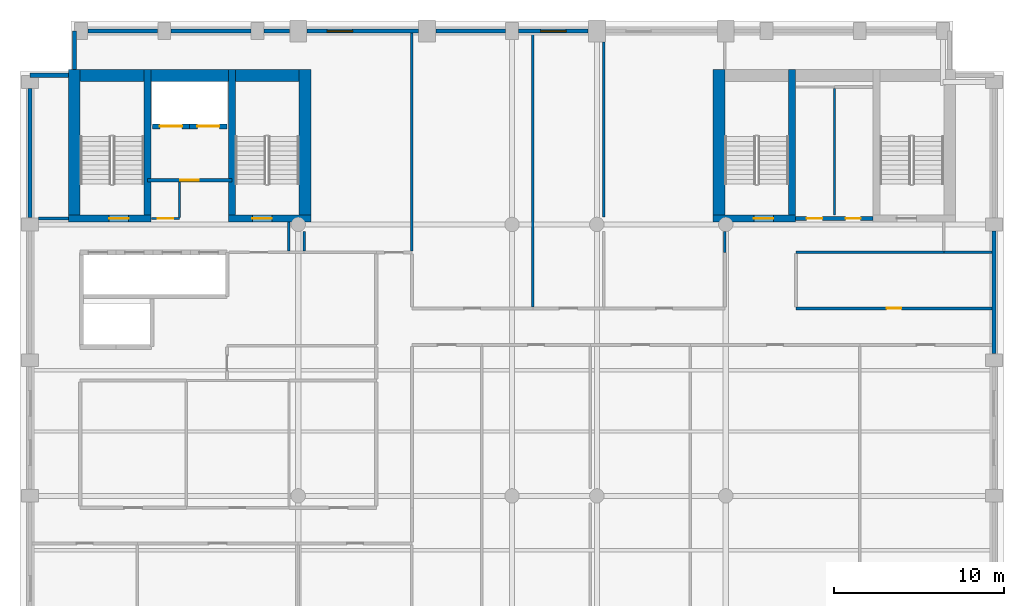
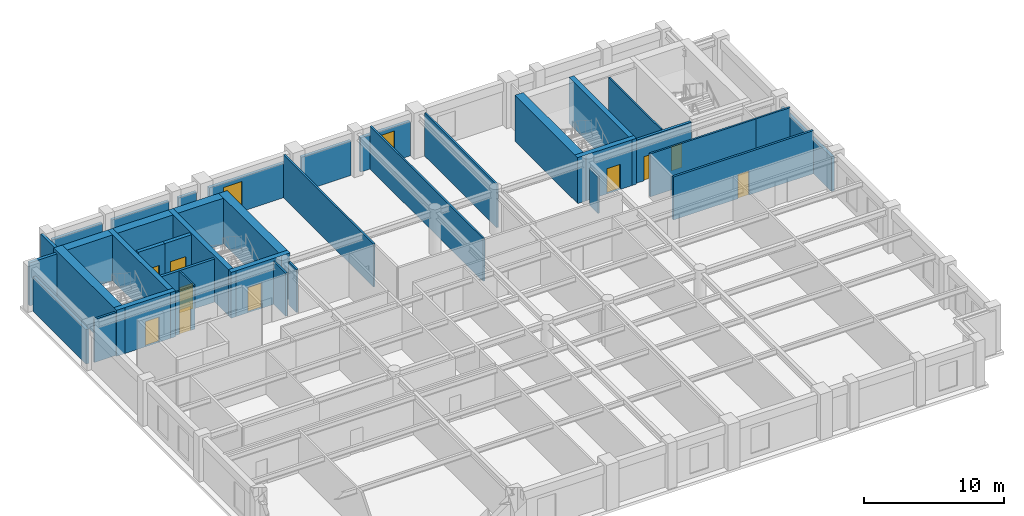
# One storey, part 5 of 8: 37 walls, 10 doors, 2 windows, 12 openings.
"""IFC4 building model written with IfcOpenShell, lengths in metres."""

from ifc_helpers import new_model, si_unit, direction, frame, frame_2d, origin, place, context, subcontext, project, spatial, rectangle, extrude, material, layer, layer_set, type_object, element, fill, save


model = new_model("IFC4")

# Units and contexts
model_context = context("Model", 3, precision=1e-05, world=origin(), true_north=direction((0.0, 1.0)))
body_context = subcontext(model_context, "Body", "Model", "MODEL_VIEW")
ifc_project = project(units=[si_unit("LENGTHUNIT", "METRE"), si_unit("AREAUNIT", "SQUARE_METRE"), si_unit("VOLUMEUNIT", "CUBIC_METRE"), si_unit("PLANEANGLEUNIT", "RADIAN"), si_unit("MASSUNIT", "GRAM", prefix="KILO")], contexts=[model_context])

# Site, building, storey
site_placement = place(None, origin())
site = spatial("IfcSite", under=ifc_project, at=site_placement, CompositionType="ELEMENT")
building_placement = place(site_placement, origin())
building = spatial("IfcBuilding", under=site, at=building_placement, Name="Sulina Concourse Tower", CompositionType="ELEMENT")
storey_placement = place(building_placement, frame((0.0, 0.0, 260.60009765625)))
storey = spatial("IfcBuildingStorey", under=building, at=storey_placement, Name="L63", CompositionType="ELEMENT", Elevation=260.60009765625)

# Wall, opening, door
ifc_material_1 = material(Name="Concrete C50/60", Category="concrete")
ifc_layer_1 = layer(ifc_material_1, 0.300048828125)
ifc_layer_set_1 = layer_set([ifc_layer_1], Name="Concrete C50/60")
wall_type_1 = type_object("IfcWallType", Name="Core Lift Hoistway Wall 300mm", PredefinedType="SOLIDWALL", material=ifc_layer_set_1)
wall_1_placement = place(storey_placement, frame((10.0, 39.780029296875, 0.0), z_axis=(0.0, 0.0, 1.0), x_axis=(-1.0, 0.0, 0.0)))
wall_1 = element("IfcWall", 1, at=wall_1_placement, inside=storey, type_object=wall_type_1, Name="L63 hoistway enclosure wall FFL-1", PredefinedType="SOLIDWALL", context=body_context, shape_type="SweptSolid", body=[
    extrude(rectangle(XDim=2.199951171875, YDim=0.300048828125, at=frame_2d((1.10009765625, 0.0))), origin(), (0.0, 0.0, 1.0), 4.0),
])
opening_1_placement = place(wall_1_placement, frame((0.449951171875, 0.0, 0.0)))
opening_1 = element("IfcOpeningElement", 2, at=opening_1_placement, cuts=wall_1, Name="Opening LD-02", PredefinedType="OPENING", context=body_context, shape_type="SweptSolid", body=[
    extrude(rectangle(XDim=1.300048828125, YDim=2.25, at=frame_2d((0.64990234375, 1.125))), frame((0.0, 0.159912109375, 0.0), z_axis=(0.0, -1.0, 0.0), x_axis=(1.0, 0.0, 0.0)), (0.0, 0.0, 1.0), 0.320068359375),
])
ifc_material_2 = material(Name="Stainless steel lift landing door", Category="steel")
ifc_layer_2 = layer(ifc_material_2, 0.050048828125)
ifc_layer_set_2 = layer_set([ifc_layer_2], Name="Stainless steel lift landing door")
door_type_1 = type_object("IfcDoorType", Name="Firefighting Lift Sliding Landing Door 1300x2250", OperationType="SLIDING_TO_RIGHT", PredefinedType="DOOR", material=ifc_layer_set_2)
door_1_placement = place(opening_1_placement, origin())
door_1 = element("IfcDoor", 3, at=door_1_placement, inside=storey, type_object=door_type_1, Name="L63 lift landing sliding door FFL-1", OperationType="SLIDING_TO_LEFT", OverallHeight=2.25, OverallWidth=1.300048828125, PredefinedType="DOOR", context=body_context, shape_type="SweptSolid", body=[
    extrude(rectangle(XDim=1.300048828125, YDim=2.25, at=frame_2d((0.64990234375, 1.125))), frame((0.0, 0.02490234375, 0.0), z_axis=(0.0, -1.0, 0.0), x_axis=(1.0, 0.0, 0.0)), (0.0, 0.0, 1.0), 0.050048828125),
])
fill(opening_1, door_1)

wall_2_placement = place(storey_placement, frame((12.199951171875, 39.780029296875, 0.0), z_axis=(0.0, 0.0, 1.0), x_axis=(-1.0, 0.0, 0.0)))
wall_2 = element("IfcWall", 4, at=wall_2_placement, inside=storey, type_object=wall_type_1, Name="L63 hoistway enclosure wall FFL-2", PredefinedType="SOLIDWALL", context=body_context, shape_type="SweptSolid", body=[
    extrude(rectangle(XDim=2.199951171875, YDim=0.300048828125, at=frame_2d((1.10009765625, 0.0))), origin(), (0.0, 0.0, 1.0), 4.0),
])
opening_2_placement = place(wall_2_placement, frame((0.449951171875, 0.0, 0.0)))
opening_2 = element("IfcOpeningElement", 5, at=opening_2_placement, cuts=wall_2, Name="Opening LD-02", PredefinedType="OPENING", context=body_context, shape_type="SweptSolid", body=[
    extrude(rectangle(XDim=1.300048828125, YDim=2.25, at=frame_2d((0.64990234375, 1.125))), frame((0.0, 0.159912109375, 0.0), z_axis=(0.0, -1.0, 0.0), x_axis=(1.0, 0.0, 0.0)), (0.0, 0.0, 1.0), 0.320068359375),
])
door_2_placement = place(opening_2_placement, origin())
door_2 = element("IfcDoor", 6, at=door_2_placement, inside=storey, type_object=door_type_1, Name="L63 lift landing sliding door FFL-2", OperationType="SLIDING_TO_RIGHT", OverallHeight=2.25, OverallWidth=1.300048828125, PredefinedType="DOOR", context=body_context, shape_type="SweptSolid", body=[
    extrude(rectangle(XDim=1.300048828125, YDim=2.25, at=frame_2d((0.64990234375, 1.125))), frame((0.0, 0.02490234375, 0.0), z_axis=(0.0, -1.0, 0.0), x_axis=(1.0, 0.0, 0.0)), (0.0, 0.0, 1.0), 0.050048828125),
])
fill(opening_2, door_2)

# Walls
ifc_material_3 = material(Name="Precast concrete C50/60", Category="concrete")
ifc_layer_3 = layer(ifc_material_3, 0.239990234375)
ifc_layer_set_3 = layer_set([ifc_layer_3], Name="Precast concrete C50/60")
wall_type_2 = type_object("IfcWallType", Name="Crown Precast Masonry-Frame Facade Wall 240mm", PredefinedType="SOLIDWALL", material=ifc_layer_set_3)
wall_3_placement = place(storey_placement, frame((0.60009765625, 34.39501953125, 0.0), z_axis=(0.0, 0.0, 1.0), x_axis=(0.0, 1.0, 0.0)))
element("IfcWall", 7, at=wall_3_placement, inside=storey, type_object=wall_type_2, Name="L63 exterior precast wall W5", PredefinedType="SOLIDWALL", context=body_context, shape_type="SweptSolid", body=[
    extrude(rectangle(XDim=7.60986328125, YDim=0.239990234375, at=frame_2d((3.804931640625, 0.0))), origin(), (0.0, 0.0, 1.0), 3.0),
])
wall_4_placement = place(storey_placement, frame((3.9951171875, 45.39990234375, 0.0), z_axis=(0.0, 0.0, 1.0), x_axis=(1.0, 0.0, 0.0)))
element("IfcWall", 8, at=wall_4_placement, inside=storey, type_object=wall_type_2, Name="L63 exterior precast wall N1", PredefinedType="SOLIDWALL", context=body_context, shape_type="SweptSolid", body=[
    extrude(rectangle(XDim=4.10986328125, YDim=0.239990234375, at=frame_2d((2.054931640625, 0.0))), origin(), (0.0, 0.0, 1.0), 3.0),
])
wall_5_placement = place(storey_placement, frame((8.89501953125, 45.39990234375, 0.0), z_axis=(0.0, 0.0, 1.0), x_axis=(1.0, 0.0, 0.0)))
element("IfcWall", 9, at=wall_5_placement, inside=storey, type_object=wall_type_2, Name="L63 exterior precast wall N2", PredefinedType="SOLIDWALL", context=body_context, shape_type="SweptSolid", body=[
    extrude(rectangle(XDim=4.7099609375, YDim=0.239990234375, at=frame_2d((2.35498046875, 0.0))), origin(), (0.0, 0.0, 1.0), 3.0),
])
wall_6_placement = place(storey_placement, frame((14.39501953125, 45.39990234375, 0.0), z_axis=(0.0, 0.0, 1.0), x_axis=(1.0, 0.0, 0.0)))
element("IfcWall", 10, at=wall_6_placement, inside=storey, type_object=wall_type_2, Name="L63 exterior precast wall N3", PredefinedType="SOLIDWALL", context=body_context, shape_type="SweptSolid", body=[
    extrude(rectangle(XDim=1.48486328125, YDim=0.239990234375, at=frame_2d((0.742431640625, 0.0))), origin(), (0.0, 0.0, 1.0), 3.0),
])

# Wall, opening, window
wall_7_placement = place(storey_placement, frame((16.919921875, 45.39990234375, 0.0), z_axis=(0.0, 0.0, 1.0), x_axis=(1.0, 0.0, 0.0)))
wall_7 = element("IfcWall", 11, at=wall_7_placement, inside=storey, type_object=wall_type_2, Name="L63 exterior precast wall N4", PredefinedType="SOLIDWALL", context=body_context, shape_type="SweptSolid", body=[
    extrude(rectangle(XDim=6.56005859375, YDim=0.239990234375, at=frame_2d((3.280029296875, 0.0))), origin(), (0.0, 0.0, 1.0), 3.0),
])
opening_3_placement = place(wall_7_placement, frame((1.186767578125, 0.0, 0.419921875)))
opening_3 = element("IfcOpeningElement", 12, at=opening_3_placement, cuts=wall_7, Name="Opening WN-71", PredefinedType="OPENING", context=body_context, shape_type="SweptSolid", body=[
    extrude(rectangle(XDim=1.5, YDim=2.199951171875, at=frame_2d((0.75, 1.10009765625))), frame((0.0, 0.1298828125, 0.0), z_axis=(0.0, -1.0, 0.0), x_axis=(1.0, 0.0, 0.0)), (0.0, 0.0, 1.0), 0.260009765625),
])
ifc_material_4 = material(Name="Low-E solar double glazing in bronze aluminium", Category="aluminium")
window_type = type_object("IfcWindowType", Name="Punched Masonry-Frame Window 1500x2200", PartitioningType="SINGLE_PANEL", PredefinedType="WINDOW", material=ifc_material_4)
window_1_placement = place(opening_3_placement, origin())
window_1 = element("IfcWindow", 13, at=window_1_placement, inside=storey, type_object=window_type, Name="L63 punched window N4-1", OverallHeight=2.199951171875, OverallWidth=1.5, PartitioningType="SINGLE_PANEL", PredefinedType="WINDOW", context=body_context, shape_type="SweptSolid", body=[
    extrude(rectangle(XDim=1.5, YDim=2.199951171875, at=frame_2d((0.75, 1.10009765625))), frame((0.0, 0.030029296875, 0.0), z_axis=(0.0, -1.0, 0.0), x_axis=(1.0, 0.0, 0.0)), (0.0, 0.0, 1.0), 0.06005859375),
])
fill(opening_3, window_1)

# Wall
wall_8_placement = place(storey_placement, frame((24.52001953125, 45.39990234375, 0.0), z_axis=(0.0, 0.0, 1.0), x_axis=(1.0, 0.0, 0.0)))
element("IfcWall", 14, at=wall_8_placement, inside=storey, type_object=wall_type_2, Name="L63 exterior precast wall N5", PredefinedType="SOLIDWALL", context=body_context, shape_type="SweptSolid", body=[
    extrude(rectangle(XDim=4.0849609375, YDim=0.239990234375, at=frame_2d((2.04248046875, 0.0))), origin(), (0.0, 0.0, 1.0), 3.0),
])

# Wall, opening, window
wall_9_placement = place(storey_placement, frame((29.39501953125, 45.39990234375, 0.0), z_axis=(0.0, 0.0, 1.0), x_axis=(1.0, 0.0, 0.0)))
wall_9 = element("IfcWall", 15, at=wall_9_placement, inside=storey, type_object=wall_type_2, Name="L63 exterior precast wall N6", PredefinedType="SOLIDWALL", context=body_context, shape_type="SweptSolid", body=[
    extrude(rectangle(XDim=4.0849609375, YDim=0.239990234375, at=frame_2d((2.04248046875, 0.0))), origin(), (0.0, 0.0, 1.0), 3.0),
])
opening_4_placement = place(wall_9_placement, frame((1.29248046875, 0.0, 0.419921875)))
opening_4 = element("IfcOpeningElement", 16, at=opening_4_placement, cuts=wall_9, Name="Opening WN-71", PredefinedType="OPENING", context=body_context, shape_type="SweptSolid", body=[
    extrude(rectangle(XDim=1.5, YDim=2.199951171875, at=frame_2d((0.75, 1.10009765625))), frame((0.0, 0.1298828125, 0.0), z_axis=(0.0, -1.0, 0.0), x_axis=(1.0, 0.0, 0.0)), (0.0, 0.0, 1.0), 0.260009765625),
])
window_2_placement = place(opening_4_placement, origin())
window_2 = element("IfcWindow", 17, at=window_2_placement, inside=storey, type_object=window_type, Name="L63 punched window N6-1", OverallHeight=2.199951171875, OverallWidth=1.5, PartitioningType="SINGLE_PANEL", PredefinedType="WINDOW", context=body_context, shape_type="SweptSolid", body=[
    extrude(rectangle(XDim=1.5, YDim=2.199951171875, at=frame_2d((0.75, 1.10009765625))), frame((0.0, 0.030029296875, 0.0), z_axis=(0.0, -1.0, 0.0), x_axis=(1.0, 0.0, 0.0)), (0.0, 0.0, 1.0), 0.06005859375),
])
fill(opening_4, window_2)

# Walls
wall_10_placement = place(storey_placement, frame((57.39990234375, 33.60498046875, 0.0), z_axis=(0.0, 0.0, 1.0), x_axis=(0.0, -1.0, 0.0)))
element("IfcWall", 18, at=wall_10_placement, inside=storey, type_object=wall_type_2, Name="L63 exterior precast wall E4", PredefinedType="SOLIDWALL", context=body_context, shape_type="SweptSolid", body=[
    extrude(rectangle(XDim=7.2099609375, YDim=0.239990234375, at=frame_2d((3.60498046875, 0.0))), origin(), (0.0, 0.0, 1.0), 3.0),
])
wall_11_placement = place(storey_placement, frame((0.60009765625, 42.794921875, 0.0), z_axis=(0.0, 0.0, 1.0), x_axis=(1.0, 0.0, 0.0)))
element("IfcWall", 19, at=wall_11_placement, inside=storey, type_object=wall_type_2, Name="L63 exterior precast wall CNW1", PredefinedType="SOLIDWALL", context=body_context, shape_type="SweptSolid", body=[
    extrude(rectangle(XDim=2.244873046875, YDim=0.239990234375, at=frame_2d((1.12255859375, 0.0))), origin(), (0.0, 0.0, 1.0), 3.75),
])
wall_12_placement = place(storey_placement, frame((3.205078125, 43.135009765625, 0.0), z_axis=(0.0, 0.0, 1.0), x_axis=(0.0, 1.0, 0.0)))
element("IfcWall", 20, at=wall_12_placement, inside=storey, type_object=wall_type_2, Name="L63 exterior precast wall CNW2", PredefinedType="SOLIDWALL", context=body_context, shape_type="SweptSolid", body=[
    extrude(rectangle(XDim=2.264892578125, YDim=0.239990234375, at=frame_2d((1.13232421875, 0.0))), origin(), (0.0, 0.0, 1.0), 3.75),
])

# Wall, opening, door
ifc_material_5 = material(Name="Gypsum board on steel stud", Category="steel")
ifc_layer_4 = layer(ifc_material_5, 0.219970703125)
ifc_layer_set_4 = layer_set([ifc_layer_4], Name="Gypsum board on steel stud")
wall_type_3 = type_object("IfcWallType", Name="Fire-Rated Lobby & Compartment Wall 220mm", PredefinedType="PARTITIONING", material=ifc_layer_set_4)
wall_13_placement = place(storey_placement, frame((7.510009765625, 36.60009765625, 0.0), z_axis=(0.0, 0.0, 1.0), x_axis=(1.0, 0.0, 0.0)))
wall_13 = element("IfcWall", 21, at=wall_13_placement, inside=storey, type_object=wall_type_3, Name="L63 firefighting lobby south fire wall", PredefinedType="PARTITIONING", context=body_context, shape_type="SweptSolid", body=[
    extrude(rectangle(XDim=4.97998046875, YDim=0.219970703125, at=frame_2d((2.489990234375, 0.0))), origin(), (0.0, 0.0, 1.0), 3.75),
])
opening_5_placement = place(wall_13_placement, frame((1.93994140625, 0.0, 0.0)))
opening_5 = element("IfcOpeningElement", 22, at=opening_5_placement, cuts=wall_13, Name="Opening DR-47", PredefinedType="OPENING", context=body_context, shape_type="SweptSolid", body=[
    extrude(rectangle(XDim=1.10009765625, YDim=2.199951171875, at=frame_2d((0.550048828125, 1.10009765625))), frame((0.0, 0.119873046875, 0.0), z_axis=(0.0, -1.0, 0.0), x_axis=(1.0, 0.0, 0.0)), (0.0, 0.0, 1.0), 0.239990234375),
])
ifc_material_6 = material(Name="Galvanised steel acoustic fire leaf", Category="steel")
ifc_layer_5 = layer(ifc_material_6, 0.054931640625)
ifc_layer_set_5 = layer_set([ifc_layer_5], Name="Galvanised steel acoustic fire leaf")
door_type_2 = type_object("IfcDoorType", Name="Firefighting Lobby Fire Door 1100x2200", OperationType="NOTDEFINED", PredefinedType="DOOR", material=ifc_layer_set_5)
door_3_placement = place(opening_5_placement, origin())
door_3 = element("IfcDoor", 23, at=door_3_placement, inside=storey, type_object=door_type_2, Name="L63 firefighting lobby fire door", OperationType="SINGLE_SWING_RIGHT", OverallHeight=2.199951171875, OverallWidth=1.10009765625, PredefinedType="DOOR", context=body_context, shape_type="SweptSolid", body=[
    extrude(rectangle(XDim=1.10009765625, YDim=2.199951171875, at=frame_2d((0.550048828125, 1.10009765625))), frame((0.0, 0.02490234375, 0.0), z_axis=(0.0, -1.0, 0.0), x_axis=(1.0, 0.0, 0.0)), (0.0, 0.0, 1.0), 0.050048828125),
])
fill(opening_5, door_3)

# Wall, openings, doors
wall_14_placement = place(storey_placement, frame((45.719970703125, 34.35009765625, 0.0), z_axis=(0.0, 0.0, 1.0), x_axis=(1.0, 0.0, 0.0)))
wall_14 = element("IfcWall", 24, at=wall_14_placement, inside=storey, type_object=wall_type_3, Name="L63 east core south lobby wall", PredefinedType="PARTITIONING", context=body_context, shape_type="SweptSolid", body=[
    extrude(rectangle(XDim=4.56005859375, YDim=0.219970703125, at=frame_2d((2.280029296875, 0.0))), origin(), (0.0, 0.0, 1.0), 3.75),
])
opening_6_placement = place(wall_14_placement, frame((0.64990234375, 0.0, 0.0)))
opening_6 = element("IfcOpeningElement", 25, at=opening_6_placement, cuts=wall_14, Name="Opening DR-61", PredefinedType="OPENING", context=body_context, shape_type="SweptSolid", body=[
    extrude(rectangle(XDim=0.919921875, YDim=2.10009765625, at=frame_2d((0.4599609375, 1.050048828125))), frame((0.0, 0.119873046875, 0.0), z_axis=(0.0, -1.0, 0.0), x_axis=(1.0, 0.0, 0.0)), (0.0, 0.0, 1.0), 0.239990234375),
])
opening_7_placement = place(wall_14_placement, frame((2.949951171875, 0.0, 0.0)))
opening_7 = element("IfcOpeningElement", 26, at=opening_7_placement, cuts=wall_14, Name="Opening DR-38", PredefinedType="OPENING", context=body_context, shape_type="SweptSolid", body=[
    extrude(rectangle(XDim=0.8798828125, YDim=2.10009765625, at=frame_2d((0.43994140625, 1.050048828125))), frame((0.0, 0.119873046875, 0.0), z_axis=(0.0, -1.0, 0.0), x_axis=(1.0, 0.0, 0.0)), (0.0, 0.0, 1.0), 0.239990234375),
])
ifc_material_7 = material(Name="Oak-veneered fire door leaf")
ifc_layer_6 = layer(ifc_material_7, 0.050048828125)
ifc_layer_set_6 = layer_set([ifc_layer_6], Name="Oak-veneered fire door leaf")
door_type_3 = type_object("IfcDoorType", Name="Accessible WC Door 920x2100", OperationType="NOTDEFINED", PredefinedType="DOOR", material=ifc_layer_set_6)
door_4_placement = place(opening_6_placement, origin())
door_4 = element("IfcDoor", 27, at=door_4_placement, inside=storey, type_object=door_type_3, Name="L63 east core accessible wc door", OperationType="SINGLE_SWING_RIGHT", OverallHeight=2.10009765625, OverallWidth=0.919921875, PredefinedType="DOOR", context=body_context, shape_type="SweptSolid", body=[
    extrude(rectangle(XDim=0.919921875, YDim=2.10009765625, at=frame_2d((0.4599609375, 1.050048828125))), frame((0.0, 0.02490234375, 0.0), z_axis=(0.0, -1.0, 0.0), x_axis=(1.0, 0.0, 0.0)), (0.0, 0.0, 1.0), 0.050048828125),
])
fill(opening_6, door_4)
ifc_material_8 = material(Name="Galvanised steel acoustic fire leaf", Category="steel")
ifc_layer_7 = layer(ifc_material_8, 0.050048828125)
ifc_layer_set_7 = layer_set([ifc_layer_7], Name="Galvanised steel acoustic fire leaf")
door_type_4 = type_object("IfcDoorType", Name="Service Riser Fire Door 880x2100", OperationType="NOTDEFINED", PredefinedType="DOOR", material=ifc_layer_set_7)
door_5_placement = place(opening_7_placement, origin())
door_5 = element("IfcDoor", 28, at=door_5_placement, inside=storey, type_object=door_type_4, Name="L63 east core store door", OperationType="SINGLE_SWING_LEFT", OverallHeight=2.10009765625, OverallWidth=0.8798828125, PredefinedType="DOOR", context=body_context, shape_type="SweptSolid", body=[
    extrude(rectangle(XDim=0.8798828125, YDim=2.10009765625, at=frame_2d((0.43994140625, 1.050048828125))), frame((0.0, 0.02490234375, 0.0), z_axis=(0.0, -1.0, 0.0), x_axis=(1.0, 0.0, 0.0)), (0.0, 0.0, 1.0), 0.050048828125),
])
fill(opening_7, door_5)

# Walls
ifc_material_9 = material(Name="Gypsum board on steel stud", Category="steel")
ifc_layer_8 = layer(ifc_material_9, 0.14990234375)
ifc_layer_set_8 = layer_set([ifc_layer_8], Name="Gypsum board on steel stud")
wall_type_4 = type_object("IfcWallType", Name="Inter-Tenancy Acoustic Partition 150mm", PredefinedType="PARTITIONING", material=ifc_layer_set_8)
wall_15_placement = place(storey_placement, frame((45.75, 32.35009765625, 0.0), z_axis=(0.0, 0.0, 1.0), x_axis=(1.0, 0.0, 0.0)))
element("IfcWall", 29, at=wall_15_placement, inside=storey, type_object=wall_type_4, Name="L63 interior partition 025", PredefinedType="PARTITIONING", context=body_context, shape_type="SweptSolid", body=[
    extrude(rectangle(XDim=8.699951171875, YDim=0.14990234375, at=frame_2d((4.35009765625, 0.0))), origin(), (0.0, 0.0, 1.0), 3.75),
])
wall_16_placement = place(storey_placement, frame((54.449951171875, 32.35009765625, 0.0), z_axis=(0.0, 0.0, 1.0), x_axis=(1.0, 0.0, 0.0)))
element("IfcWall", 30, at=wall_16_placement, inside=storey, type_object=wall_type_4, Name="L63 interior partition 026", PredefinedType="PARTITIONING", context=body_context, shape_type="SweptSolid", body=[
    extrude(rectangle(XDim=2.830078125, YDim=0.14990234375, at=frame_2d((1.4150390625, 0.0))), origin(), (0.0, 0.0, 1.0), 3.75),
])
wall_17_placement = place(storey_placement, frame((15.85009765625, 32.425048828125, 0.0), z_axis=(0.0, 0.0, 1.0), x_axis=(0.0, 1.0, 0.0)))
element("IfcWall", 31, at=wall_17_placement, inside=storey, type_object=wall_type_4, Name="L63 interior partition 037", PredefinedType="PARTITIONING", context=body_context, shape_type="SweptSolid", body=[
    extrude(rectangle(XDim=1.724853515625, YDim=0.14990234375, at=frame_2d((0.8623046875, 0.0))), origin(), (0.0, 0.0, 1.0), 3.75),
])
wall_18_placement = place(storey_placement, frame((16.75, 32.425048828125, 0.0), z_axis=(0.0, 0.0, 1.0), x_axis=(0.0, 1.0, 0.0)))
element("IfcWall", 32, at=wall_18_placement, inside=storey, type_object=wall_type_4, Name="L63 interior partition 039", PredefinedType="PARTITIONING", context=body_context, shape_type="SweptSolid", body=[
    extrude(rectangle(XDim=1.14990234375, YDim=0.14990234375, at=frame_2d((0.574951171875, 0.0))), origin(), (0.0, 0.0, 1.0), 3.75),
])
wall_19_placement = place(storey_placement, frame((23.10009765625, 32.43994140625, 0.0), z_axis=(0.0, 0.0, 1.0), x_axis=(0.0, 1.0, 0.0)))
element("IfcWall", 33, at=wall_19_placement, inside=storey, type_object=wall_type_4, Name="L63 interior partition 047", PredefinedType="PARTITIONING", context=body_context, shape_type="SweptSolid", body=[
    extrude(rectangle(XDim=12.840087890625, YDim=0.14990234375, at=frame_2d((6.419921875, 0.0))), origin(), (0.0, 0.0, 1.0), 3.75),
])
wall_20_placement = place(storey_placement, frame((30.22998046875, 29.139892578125, 0.0), z_axis=(0.0, 0.0, 1.0), x_axis=(0.0, 1.0, 0.0)))
element("IfcWall", 34, at=wall_20_placement, inside=storey, type_object=wall_type_4, Name="L63 interior partition 049", PredefinedType="PARTITIONING", context=body_context, shape_type="SweptSolid", body=[
    extrude(rectangle(XDim=16.14013671875, YDim=0.14990234375, at=frame_2d((8.070068359375, 0.0))), origin(), (0.0, 0.0, 1.0), 3.75),
])
wall_21_placement = place(storey_placement, frame((34.419921875, 34.425048828125, 0.0), z_axis=(0.0, 0.0, 1.0), x_axis=(0.0, 1.0, 0.0)))
element("IfcWall", 35, at=wall_21_placement, inside=storey, type_object=wall_type_4, Name="L63 interior partition 053", PredefinedType="PARTITIONING", context=body_context, shape_type="SweptSolid", body=[
    extrude(rectangle(XDim=10.324951171875, YDim=0.14990234375, at=frame_2d((5.16259765625, 0.0))), origin(), (0.0, 0.0, 1.0), 3.75),
])
wall_22_placement = place(storey_placement, frame((41.550048828125, 32.35009765625, 0.0), z_axis=(0.0, 0.0, 1.0), x_axis=(0.0, 1.0, 0.0)))
element("IfcWall", 36, at=wall_22_placement, inside=storey, type_object=wall_type_4, Name="L63 interior partition 056", PredefinedType="PARTITIONING", context=body_context, shape_type="SweptSolid", body=[
    extrude(rectangle(XDim=1.224853515625, YDim=0.14990234375, at=frame_2d((0.6123046875, 0.0))), origin(), (0.0, 0.0, 1.0), 3.19482421875),
])

# Wall, opening, door
ifc_material_10 = material(Name="Gypsum board on steel stud", Category="steel")
ifc_layer_9 = layer(ifc_material_10, 0.179931640625)
ifc_layer_set_9 = layer_set([ifc_layer_9], Name="Gypsum board on steel stud")
wall_type_5 = type_object("IfcWallType", Name="Protected Corridor & Riser Partition 180mm", PredefinedType="PARTITIONING", material=ifc_layer_set_9)
wall_23_placement = place(storey_placement, frame((45.75, 29.050048828125, 0.0), z_axis=(0.0, 0.0, 1.0), x_axis=(1.0, 0.0, 0.0)))
wall_23 = element("IfcWall", 37, at=wall_23_placement, inside=storey, type_object=wall_type_5, Name="L63 interior partition 020", PredefinedType="PARTITIONING", context=body_context, shape_type="SweptSolid", body=[
    extrude(rectangle(XDim=11.530029296875, YDim=0.179931640625, at=frame_2d((5.76513671875, 0.0))), origin(), (0.0, 0.0, 1.0), 3.75),
])
opening_8_placement = place(wall_23_placement, frame((5.324951171875, 0.0, 0.0)))
opening_8 = element("IfcOpeningElement", 38, at=opening_8_placement, cuts=wall_23, Name="Opening DR-38", PredefinedType="OPENING", context=body_context, shape_type="SweptSolid", body=[
    extrude(rectangle(XDim=0.8798828125, YDim=2.10009765625, at=frame_2d((0.43994140625, 1.050048828125))), frame((0.0, 0.099853515625, 0.0), z_axis=(0.0, -1.0, 0.0), x_axis=(1.0, 0.0, 0.0)), (0.0, 0.0, 1.0), 0.199951171875),
])
door_6_placement = place(opening_8_placement, origin())
door_6 = element("IfcDoor", 39, at=door_6_placement, inside=storey, type_object=door_type_4, Name="L63 interior door L63-NE1", OperationType="SINGLE_SWING_LEFT", OverallHeight=2.10009765625, OverallWidth=0.8798828125, PredefinedType="DOOR", context=body_context, shape_type="SweptSolid", body=[
    extrude(rectangle(XDim=0.8798828125, YDim=2.10009765625, at=frame_2d((0.43994140625, 1.050048828125))), frame((0.0, 0.02490234375, 0.0), z_axis=(0.0, -1.0, 0.0), x_axis=(1.0, 0.0, 0.0)), (0.0, 0.0, 1.0), 0.050048828125),
])
fill(opening_8, door_6)

# Wall
wall_24_placement = place(storey_placement, frame((1.10009765625, 34.35009765625, 0.0), z_axis=(0.0, 0.0, 1.0), x_axis=(1.0, 0.0, 0.0)))
element("IfcWall", 40, at=wall_24_placement, inside=storey, type_object=wall_type_5, Name="L63 interior partition 027", PredefinedType="PARTITIONING", context=body_context, shape_type="SweptSolid", body=[
    extrude(rectangle(XDim=1.75, YDim=0.179931640625, at=frame_2d((0.875, 0.0))), origin(), (0.0, 0.0, 1.0), 3.75),
])

# Wall, opening, door
ifc_material_11 = material(Name="Concrete C60/75", Category="concrete")
ifc_layer_10 = layer(ifc_material_11, 0.39990234375)
ifc_layer_set_10 = layer_set([ifc_layer_10], Name="Concrete C60/75")
wall_type_6 = type_object("IfcWallType", Name="Protected Stair Core Shear Wall 400mm", PredefinedType="SHEAR", material=ifc_layer_set_10)
wall_25_placement = place(storey_placement, frame((2.85009765625, 34.35009765625, 0.0), z_axis=(0.0, 0.0, 1.0), x_axis=(1.0, 0.0, 0.0)))
wall_25 = element("IfcWall", 41, at=wall_25_placement, inside=storey, type_object=wall_type_6, Name="L63 west core shear wall CW-WS1", PredefinedType="SHEAR", context=body_context, shape_type="SweptSolid", body=[
    extrude(rectangle(XDim=4.85986328125, YDim=0.39990234375, at=frame_2d((2.429931640625, 0.0))), origin(), (0.0, 0.0, 1.0), 4.0),
])
opening_9_placement = place(wall_25_placement, frame((2.39990234375, 0.0, 0.0)))
opening_9 = element("IfcOpeningElement", 42, at=opening_9_placement, cuts=wall_25, Name="Opening DR-60", PredefinedType="OPENING", context=body_context, shape_type="SweptSolid", body=[
    extrude(rectangle(XDim=1.14990234375, YDim=2.199951171875, at=frame_2d((0.574951171875, 1.10009765625))), frame((0.0, 0.2099609375, 0.0), z_axis=(0.0, -1.0, 0.0), x_axis=(1.0, 0.0, 0.0)), (0.0, 0.0, 1.0), 0.419921875),
])
ifc_material_12 = material(Name="Galvanised steel acoustic fire leaf", Category="steel")
ifc_layer_11 = layer(ifc_material_12, 0.054931640625)
ifc_layer_set_11 = layer_set([ifc_layer_11], Name="Galvanised steel acoustic fire leaf")
door_type_5 = type_object("IfcDoorType", Name="Protected Exit Stair Fire Door 1150x2200", OperationType="NOTDEFINED", PredefinedType="DOOR", material=ifc_layer_set_11)
door_7_placement = place(opening_9_placement, origin())
door_7 = element("IfcDoor", 43, at=door_7_placement, inside=storey, type_object=door_type_5, Name="L63 stair ST-1 lobby fire door", OperationType="SINGLE_SWING_RIGHT", OverallHeight=2.199951171875, OverallWidth=1.14990234375, PredefinedType="DOOR", context=body_context, shape_type="SweptSolid", body=[
    extrude(rectangle(XDim=1.14990234375, YDim=2.199951171875, at=frame_2d((0.574951171875, 1.10009765625))), frame((0.0, 0.02490234375, 0.0), z_axis=(0.0, -1.0, 0.0), x_axis=(1.0, 0.0, 0.0)), (0.0, 0.0, 1.0), 0.050048828125),
])
fill(opening_9, door_7)

wall_26_placement = place(storey_placement, frame((12.2900390625, 34.35009765625, 0.0), z_axis=(0.0, 0.0, 1.0), x_axis=(1.0, 0.0, 0.0)))
wall_26 = element("IfcWall", 44, at=wall_26_placement, inside=storey, type_object=wall_type_6, Name="L63 west core shear wall CW-WS2", PredefinedType="SHEAR", context=body_context, shape_type="SweptSolid", body=[
    extrude(rectangle(XDim=4.85986328125, YDim=0.39990234375, at=frame_2d((2.429931640625, 0.0))), origin(), (0.0, 0.0, 1.0), 4.0),
])
opening_10_placement = place(wall_26_placement, frame((1.39990234375, 0.0, 0.0)))
opening_10 = element("IfcOpeningElement", 45, at=opening_10_placement, cuts=wall_26, Name="Opening DR-60", PredefinedType="OPENING", context=body_context, shape_type="SweptSolid", body=[
    extrude(rectangle(XDim=1.14990234375, YDim=2.199951171875, at=frame_2d((0.574951171875, 1.10009765625))), frame((0.0, 0.2099609375, 0.0), z_axis=(0.0, -1.0, 0.0), x_axis=(1.0, 0.0, 0.0)), (0.0, 0.0, 1.0), 0.419921875),
])
door_8_placement = place(opening_10_placement, origin())
door_8 = element("IfcDoor", 46, at=door_8_placement, inside=storey, type_object=door_type_5, Name="L63 stair ST-2 lobby fire door", OperationType="SINGLE_SWING_LEFT", OverallHeight=2.199951171875, OverallWidth=1.14990234375, PredefinedType="DOOR", context=body_context, shape_type="SweptSolid", body=[
    extrude(rectangle(XDim=1.14990234375, YDim=2.199951171875, at=frame_2d((0.574951171875, 1.10009765625))), frame((0.0, 0.02490234375, 0.0), z_axis=(0.0, -1.0, 0.0), x_axis=(1.0, 0.0, 0.0)), (0.0, 0.0, 1.0), 0.050048828125),
])
fill(opening_10, door_8)

# Walls
for number, where, z_axis, x_axis, name in (
    (47, (7.510009765625, 34.14990234375, 0.0), (0.0, 0.0, 1.0), (0.0, 1.0, 0.0), "L63 west core shear wall SW-ST1"),
    (48, (12.489990234375, 34.14990234375, 0.0), (0.0, 0.0, 1.0), (0.0, 1.0, 0.0), "L63 west core shear wall SW-ST2"),
):
    element("IfcWall", number, at=place(storey_placement, frame(where, z_axis=z_axis, x_axis=x_axis)), inside=storey, type_object=wall_type_6, Name=name, PredefinedType="SHEAR", context=body_context, shape_type="SweptSolid", body=[
        extrude(rectangle(XDim=8.97998046875, YDim=0.39990234375, at=frame_2d((4.489990234375, 0.0))), origin(), (0.0, 0.0, 1.0), 4.0),
    ])

# Wall, opening, door
wall_27_placement = place(storey_placement, frame((40.85009765625, 34.35009765625, 0.0), z_axis=(0.0, 0.0, 1.0), x_axis=(1.0, 0.0, 0.0)))
wall_27 = element("IfcWall", 49, at=wall_27_placement, inside=storey, type_object=wall_type_6, Name="L63 east core shear wall CW-ES1", PredefinedType="SHEAR", context=body_context, shape_type="SweptSolid", body=[
    extrude(rectangle(XDim=4.85986328125, YDim=0.39990234375, at=frame_2d((2.429931640625, 0.0))), origin(), (0.0, 0.0, 1.0), 4.0),
])
opening_11_placement = place(wall_27_placement, frame((2.39990234375, 0.0, 0.0)))
opening_11 = element("IfcOpeningElement", 50, at=opening_11_placement, cuts=wall_27, Name="Opening DR-60", PredefinedType="OPENING", context=body_context, shape_type="SweptSolid", body=[
    extrude(rectangle(XDim=1.14990234375, YDim=2.199951171875, at=frame_2d((0.574951171875, 1.10009765625))), frame((0.0, 0.2099609375, 0.0), z_axis=(0.0, -1.0, 0.0), x_axis=(1.0, 0.0, 0.0)), (0.0, 0.0, 1.0), 0.419921875),
])
door_9_placement = place(opening_11_placement, origin())
door_9 = element("IfcDoor", 51, at=door_9_placement, inside=storey, type_object=door_type_5, Name="L63 stair ST-3 south lobby fire door", OperationType="SINGLE_SWING_LEFT", OverallHeight=2.199951171875, OverallWidth=1.14990234375, PredefinedType="DOOR", context=body_context, shape_type="SweptSolid", body=[
    extrude(rectangle(XDim=1.14990234375, YDim=2.199951171875, at=frame_2d((0.574951171875, 1.10009765625))), frame((0.0, 0.02490234375, 0.0), z_axis=(0.0, -1.0, 0.0), x_axis=(1.0, 0.0, 0.0)), (0.0, 0.0, 1.0), 0.050048828125),
])
fill(opening_11, door_9)

# Walls
wall_28_placement = place(storey_placement, frame((45.510009765625, 34.14990234375, 0.0), z_axis=(0.0, 0.0, 1.0), x_axis=(0.0, 1.0, 0.0)))
element("IfcWall", 52, at=wall_28_placement, inside=storey, type_object=wall_type_6, Name="L63 east core shear wall SW-ST3", PredefinedType="SHEAR", context=body_context, shape_type="SweptSolid", body=[
    extrude(rectangle(XDim=8.97998046875, YDim=0.39990234375, at=frame_2d((4.489990234375, 0.0))), origin(), (0.0, 0.0, 1.0), 4.0),
])
ifc_material_13 = material(Name="Concrete C60/75", Category="concrete")
ifc_layer_12 = layer(ifc_material_13, 0.699951171875)
ifc_layer_set_12 = layer_set([ifc_layer_12], Name="Concrete C60/75")
wall_type_7 = type_object("IfcWallType", Name="Rear Core Shear Wall 700mm", PredefinedType="SHEAR", material=ifc_layer_set_12)
wall_29_placement = place(storey_placement, frame((2.85009765625, 42.780029296875, 0.0), z_axis=(0.0, 0.0, 1.0), x_axis=(1.0, 0.0, 0.0)))
element("IfcWall", 53, at=wall_29_placement, inside=storey, type_object=wall_type_7, Name="L63 west core shear wall CW-WN", PredefinedType="SHEAR", context=body_context, shape_type="SweptSolid", body=[
    extrude(rectangle(XDim=14.2998046875, YDim=0.699951171875, at=frame_2d((7.14990234375, 0.0))), origin(), (0.0, 0.0, 1.0), 4.0),
])
for number, where, z_axis, x_axis, name in (
    (54, (3.199951171875, 34.14990234375, 0.0), (0.0, 0.0, 1.0), (0.0, 1.0, 0.0), "L63 west core shear wall CW-WW"),
    (55, (16.800048828125, 34.14990234375, 0.0), (0.0, 0.0, 1.0), (0.0, 1.0, 0.0), "L63 west core shear wall CW-WE"),
    (56, (41.199951171875, 34.14990234375, 0.0), (0.0, 0.0, 1.0), (0.0, 1.0, 0.0), "L63 east core shear wall CW-EW"),
):
    element("IfcWall", number, at=place(storey_placement, frame(where, z_axis=z_axis, x_axis=x_axis)), inside=storey, type_object=wall_type_7, Name=name, PredefinedType="SHEAR", context=body_context, shape_type="SweptSolid", body=[
        extrude(rectangle(XDim=8.97998046875, YDim=0.699951171875, at=frame_2d((4.489990234375, 0.0))), origin(), (0.0, 0.0, 1.0), 4.0),
    ])

# Wall, opening, door
ifc_material_14 = material(Name="Gypsum board on steel stud", Category="steel")
ifc_layer_13 = layer(ifc_material_14, 0.125)
ifc_layer_set_13 = layer_set([ifc_layer_13], Name="Gypsum board on steel stud")
wall_type_8 = type_object("IfcWallType", Name="Wet-Area Moisture-Resistant Partition 125mm", PredefinedType="PARTITIONING", material=ifc_layer_set_13)
wall_30_placement = place(storey_placement, frame((7.75, 34.35009765625, 0.0), z_axis=(0.0, 0.0, 1.0), x_axis=(1.0, 0.0, 0.0)))
wall_30 = element("IfcWall", 57, at=wall_30_placement, inside=storey, type_object=wall_type_8, Name="L63 interior partition 028", PredefinedType="PARTITIONING", context=body_context, shape_type="SweptSolid", body=[
    extrude(rectangle(XDim=1.64990234375, YDim=0.125, at=frame_2d((0.824951171875, 0.0))), origin(), (0.0, 0.0, 1.0), 3.75),
])
opening_12_placement = place(wall_30_placement, frame((0.364990234375, 0.0, 0.0)))
opening_12 = element("IfcOpeningElement", 58, at=opening_12_placement, cuts=wall_30, Name="Opening DR-61", PredefinedType="OPENING", context=body_context, shape_type="SweptSolid", body=[
    extrude(rectangle(XDim=0.919921875, YDim=2.10009765625, at=frame_2d((0.4599609375, 1.050048828125))), frame((0.0, 0.072509765625, 0.0), z_axis=(0.0, -1.0, 0.0), x_axis=(1.0, 0.0, 0.0)), (0.0, 0.0, 1.0), 0.14501953125),
])
door_10_placement = place(opening_12_placement, origin())
door_10 = element("IfcDoor", 59, at=door_10_placement, inside=storey, type_object=door_type_3, Name="L63 interior door L63-WC-ACC", OperationType="SINGLE_SWING_RIGHT", OverallHeight=2.10009765625, OverallWidth=0.919921875, PredefinedType="DOOR", context=body_context, shape_type="SweptSolid", body=[
    extrude(rectangle(XDim=0.919921875, YDim=2.10009765625, at=frame_2d((0.4599609375, 1.050048828125))), frame((0.0, 0.02490234375, 0.0), z_axis=(0.0, -1.0, 0.0), x_axis=(1.0, 0.0, 0.0)), (0.0, 0.0, 1.0), 0.050048828125),
])
fill(opening_12, door_10)

# Walls
wall_31_placement = place(storey_placement, frame((9.39990234375, 34.41259765625, 0.0), z_axis=(0.0, 0.0, 1.0), x_axis=(0.0, 1.0, 0.0)))
element("IfcWall", 60, at=wall_31_placement, inside=storey, type_object=wall_type_8, Name="L63 interior partition 033", PredefinedType="PARTITIONING", context=body_context, shape_type="SweptSolid", body=[
    extrude(rectangle(XDim=2.077392578125, YDim=0.125, at=frame_2d((1.03857421875, 0.0))), origin(), (0.0, 0.0, 1.0), 3.75),
])
wall_32_placement = place(storey_placement, frame((48.0, 34.550048828125, 0.0), z_axis=(0.0, 0.0, 1.0), x_axis=(0.0, 1.0, 0.0)))
element("IfcWall", 61, at=wall_32_placement, inside=storey, type_object=wall_type_8, Name="L63 interior partition 059", PredefinedType="PARTITIONING", context=body_context, shape_type="SweptSolid", body=[
    extrude(rectangle(XDim=7.474853515625, YDim=0.125, at=frame_2d((3.7373046875, 0.0))), origin(), (0.0, 0.0, 1.0), 3.75),
])

save(model, "model.ifc")
